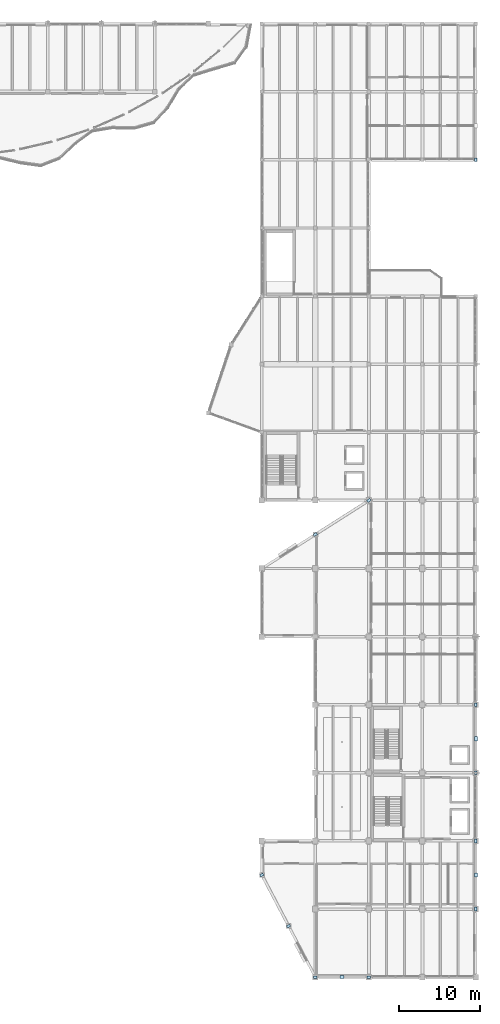
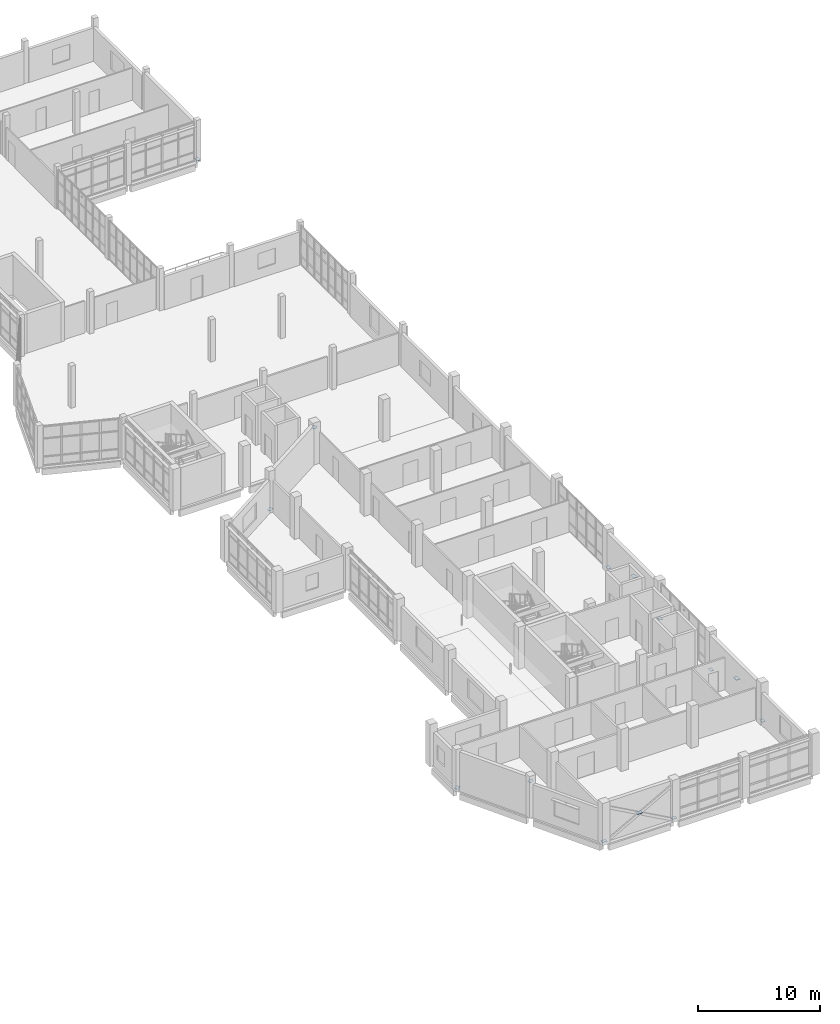
# One storey, part 45 of 74: 14 plates.
"""IFC4 building model written with IfcOpenShell, lengths in metres."""

from ifc_helpers import new_model, si_unit, direction, frame, origin, origin_2d, place, context, subcontext, project, spatial, rectangle, extrude, material, layer, layer_set, type_object, element, save


model = new_model("IFC4")

# Units and contexts
model_context = context("Model", 3, precision=1e-05, world=origin(), true_north=direction((0.0, 1.0)))
body_context = subcontext(model_context, "Body", "Model", "MODEL_VIEW")
ifc_project = project(units=[si_unit("LENGTHUNIT", "METRE"), si_unit("AREAUNIT", "SQUARE_METRE"), si_unit("VOLUMEUNIT", "CUBIC_METRE"), si_unit("PLANEANGLEUNIT", "RADIAN"), si_unit("MASSUNIT", "GRAM", prefix="KILO")], contexts=[model_context])

# Site, building, storey
site_placement = place(None, origin())
site = spatial("IfcSite", under=ifc_project, at=site_placement, CompositionType="ELEMENT")
building_placement = place(site_placement, origin())
building = spatial("IfcBuilding", under=site, at=building_placement, Name="Qaldarim Faculty of Natural and Applied Sciences", CompositionType="ELEMENT")
storey_placement = place(building_placement, frame((0.0, 0.0, 14.39990234375)))
storey = spatial("IfcBuildingStorey", under=building, at=storey_placement, Name="L03", CompositionType="ELEMENT", Elevation=14.39990234375)

# Plates
ifc_material = material(Name="Structural steel S355", Category="steel")
ifc_layer_1 = layer(ifc_material, 0.02001953125)
ifc_layer_set_1 = layer_set([ifc_layer_1], Name="Structural steel S355")
plate_type_1 = type_object("IfcPlateType", Name="GussetPlate-S355-450x320x20", PredefinedType="SHEET", material=ifc_layer_set_1)
for number, where, z_axis, x_axis, name in (
    (1, (158.39990234375, 0.0, 0.14013671875), (0.0, 0.0, 1.0), (1.0, 0.0, 0.0), "South diagrid L03 base gusset BL"),
    (2, (165.0, 0.0, 0.14013671875), (0.0, 0.0, 1.0), (1.0, 0.0, 0.0), "South diagrid L03 base gusset BR"),
    (3, (178.199951171875, 8.39990234375, 0.14013671875), (0.0, 0.0, 1.0), (0.0, 1.0, 0.0), "East diagrid L03 base gusset BL"),
    (4, (178.199951171875, 16.800048828125, 0.14013671875), (0.0, 0.0, 1.0), (0.0, 1.0, 0.0), "East diagrid L03 base gusset BR"),
    (5, (178.199951171875, 25.199951171875, 0.14013671875), (0.0, 0.0, 1.0), (0.0, 1.0, 0.0), "Upper east diagrid L03 base gusset BL"),
    (6, (178.199951171875, 33.60009765625, 0.14013671875), (0.0, 0.0, 1.0), (0.0, 1.0, 0.0), "Upper east diagrid L03 base gusset BR"),
    (7, (178.199951171875, 100.800048828125, 0.14013671875), (0.0, 0.0, 1.0), (0.0, 1.0, 0.0), "Commons east diagrid L03 base gusset BL"),
    (8, (151.800048828125, 12.60009765625, 0.150146484375), (0.0, 0.0, 1.0), (0.882947592859, 0.469471562786, 0.0), "Oblique SW brace base plate L03 1"),
    (9, (155.10009765625, 6.300048828125, 3.469970703125), (0.0, 0.0, 1.0), (0.882947592859, 0.469471562786, 0.0), "Oblique SW brace head plate L03 1"),
    (10, (158.39990234375, 54.60009765625, 0.150146484375), (0.0, 0.0, 1.0), (0.838670567945, 0.544639035015, 0.0), "Oblique NW brace base plate L03"),
    (11, (165.0, 58.800048828125, 3.469970703125), (0.0, 0.0, 1.0), (0.838670567945, 0.544639035015, 0.0), "Oblique NW brace head plate L03"),
):
    element("IfcPlate", number, at=place(storey_placement, frame(where, z_axis=z_axis, x_axis=x_axis)), inside=storey, type_object=plate_type_1, Name=name, PredefinedType="SHEET", context=body_context, shape_type="SweptSolid", body=[
        extrude(rectangle(XDim=0.449951171875, YDim=0.320068359375, at=origin_2d()), origin(), (0.0, 0.0, 1.0), 0.02001953125),
    ])
ifc_layer_2 = layer(ifc_material, 0.030029296875)
ifc_layer_set_2 = layer_set([ifc_layer_2], Name="Structural steel S355")
plate_type_2 = type_object("IfcPlateType", Name="GussetPlate-S355-520x360x30", PredefinedType="SHEET", material=ifc_layer_set_2)
for number, where, z_axis, x_axis, name in (
    (12, (161.699951171875, 0.0, 1.80517578125), (0.0, 0.0, 1.0), (1.0, 0.0, 0.0), "South diagrid L03 X-crossing gusset plate"),
    (13, (178.199951171875, 12.60009765625, 1.80517578125), (0.0, 0.0, 1.0), (0.0, 1.0, 0.0), "East diagrid L03 X-crossing gusset plate"),
    (14, (178.199951171875, 29.39990234375, 1.80517578125), (0.0, 0.0, 1.0), (0.0, 1.0, 0.0), "Upper east diagrid L03 X-crossing gusset plate"),
):
    element("IfcPlate", number, at=place(storey_placement, frame(where, z_axis=z_axis, x_axis=x_axis)), inside=storey, type_object=plate_type_2, Name=name, PredefinedType="SHEET", context=body_context, shape_type="SweptSolid", body=[
        extrude(rectangle(XDim=0.52001953125, YDim=0.360107421875, at=origin_2d()), origin(), (0.0, 0.0, 1.0), 0.030029296875),
    ])

save(model, "model.ifc")
